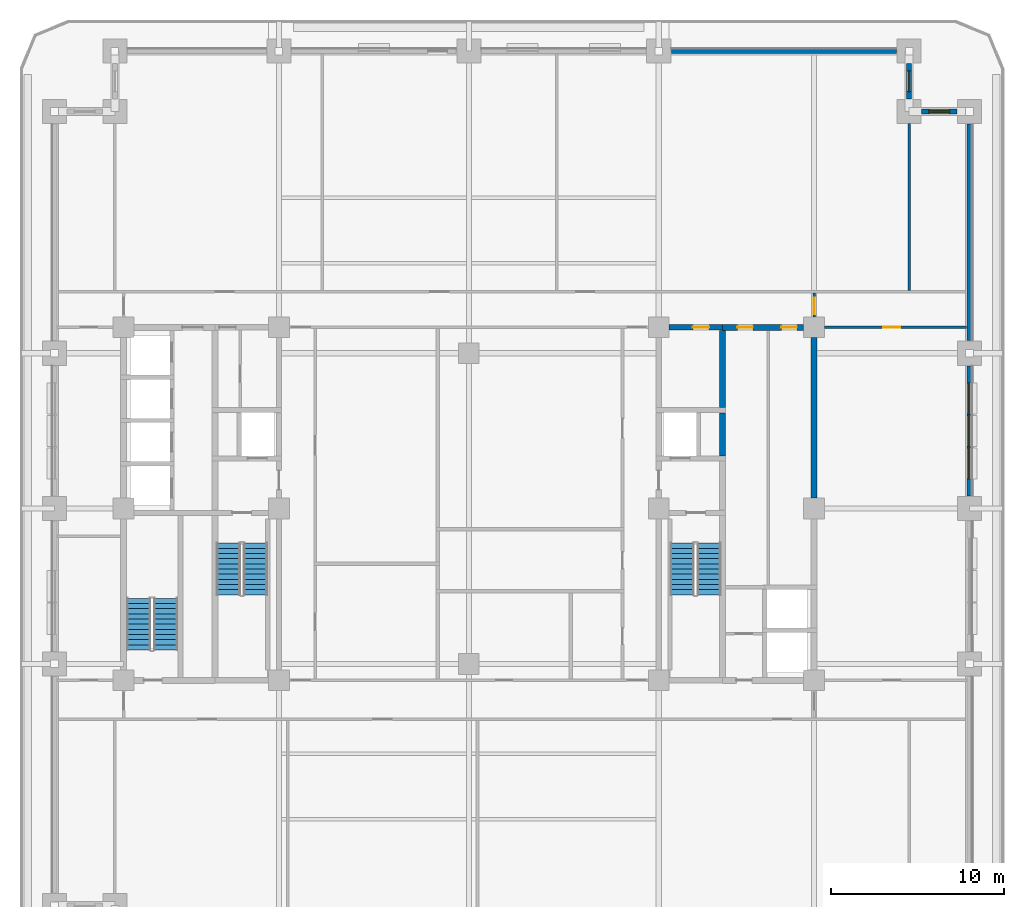
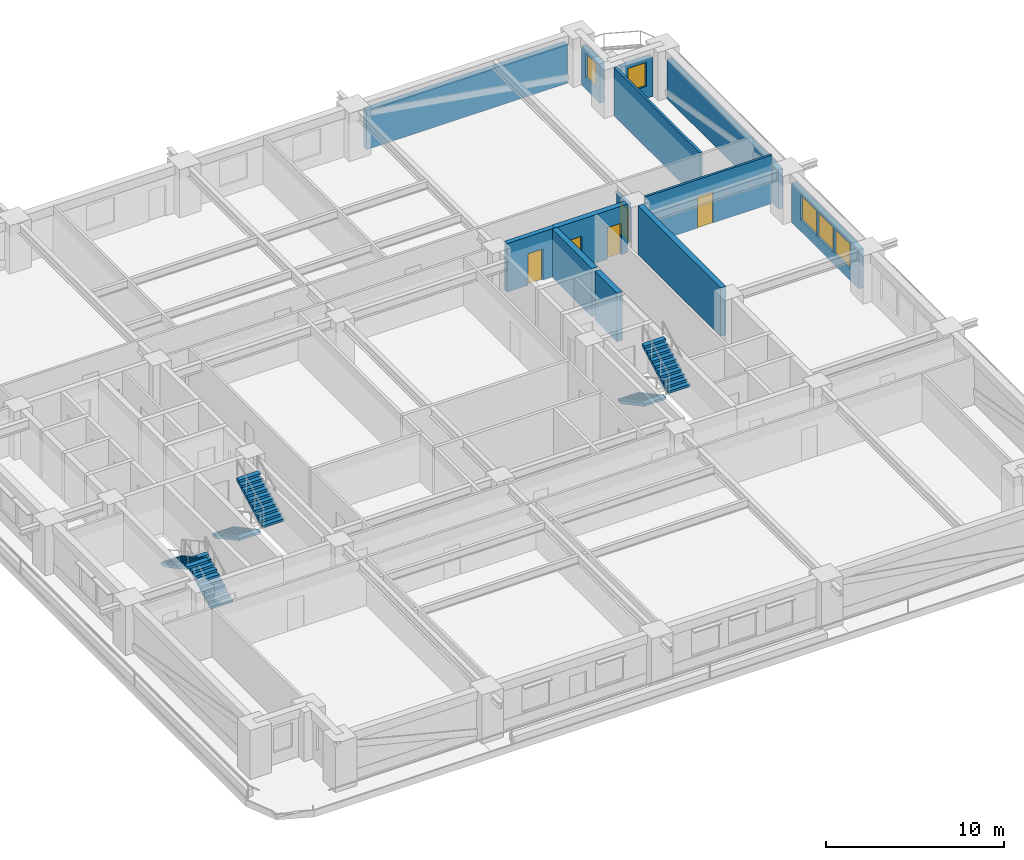
# One storey, part 6 of 13: 13 walls, 6 stair flights, 5 doors, 5 windows, 10 openings, 3 elements without a shape of their own.
"""IFC4 building model written with IfcOpenShell, lengths in metres."""

from ifc_helpers import new_model, si_unit, direction, frame, frame_2d, origin, place, context, subcontext, project, spatial, polyline, rectangle, outline, extrude, material, layer, layer_set, type_object, element, fill, aggregate, save


model = new_model("IFC4")

# Units and contexts
model_context = context("Model", 3, precision=1e-05, world=origin(), true_north=direction((0.0, 1.0)))
body_context = subcontext(model_context, "Body", "Model", "MODEL_VIEW")
ifc_project = project(units=[si_unit("LENGTHUNIT", "METRE"), si_unit("AREAUNIT", "SQUARE_METRE"), si_unit("VOLUMEUNIT", "CUBIC_METRE"), si_unit("PLANEANGLEUNIT", "RADIAN"), si_unit("MASSUNIT", "GRAM", prefix="KILO")], contexts=[model_context])

# Site, building, storey
site_placement = place(None, origin())
site = spatial("IfcSite", under=ifc_project, at=site_placement, CompositionType="ELEMENT")
building_placement = place(site_placement, origin())
building = spatial("IfcBuilding", under=site, at=building_placement, Name="Zulmaris Gate Convention Tower", CompositionType="ELEMENT")
storey_placement = place(building_placement, frame((0.0, 0.0, 34.340087890625)))
storey = spatial("IfcBuildingStorey", under=building, at=storey_placement, Name="L07", CompositionType="ELEMENT", Elevation=34.340087890625)

# Wall, opening, door
ifc_material_1 = material(Name="Concrete C50/60", Category="concrete")
ifc_layer_1 = layer(ifc_material_1, 0.300048828125, Name="Concrete C50/60")
ifc_layer_set_1 = layer_set([ifc_layer_1], Name="Concrete C50/60")
wall_type_1 = type_object("IfcWallType", Name="CORE-300", PredefinedType="SHEAR", material=ifc_layer_set_1)
wall_1_placement = place(storey_placement, frame((11.60400390625, 10.5, 0.0), z_axis=(0.0, 0.0, 1.0), x_axis=(1.0, 0.0, 0.0)))
wall_1 = element("IfcWall", 1, at=wall_1_placement, inside=storey, type_object=wall_type_1, Name="WL-L07-018", PredefinedType="SHEAR", context=body_context, shape_type="SweptSolid", body=[
    extrude(rectangle(XDim=3.095947265625, YDim=0.300048828125, at=frame_2d((1.5478515625, 0.0))), origin(), (0.0, 0.0, 1.0), 3.31982421875),
])
opening_1_placement = place(wall_1_placement, frame((1.37109375, 0.0, 0.0)))
opening_1 = element("IfcOpeningElement", 2, at=opening_1_placement, cuts=wall_1, Name="Opening D-11", PredefinedType="OPENING", context=body_context, shape_type="SweptSolid", body=[
    extrude(rectangle(XDim=0.949951171875, YDim=2.14990234375, at=frame_2d((0.47509765625, 1.074951171875))), frame((0.0, 0.16015625, 0.0), z_axis=(0.0, -1.0, 0.0), x_axis=(1.0, 0.0, 0.0)), (0.0, 0.0, 1.0), 0.320068359375),
])
ifc_material_2 = material(Name="Fire-Rated Timber", Category="wood")
door_type_1 = type_object("IfcDoorType", Name="DR-950-FD", OperationType="NOTDEFINED", PredefinedType="DOOR", material=ifc_material_2)
door_1_placement = place(opening_1_placement, origin())
door_1 = element("IfcDoor", 3, at=door_1_placement, inside=storey, type_object=door_type_1, Name="L07 Core Tea Pantry Door 09", OperationType="SINGLE_SWING_RIGHT", OverallHeight=2.14990234375, OverallWidth=0.949951171875, PredefinedType="DOOR", context=body_context, shape_type="SweptSolid", body=[
    extrude(rectangle(XDim=0.949951171875, YDim=2.14990234375, at=frame_2d((0.47509765625, 1.074951171875))), frame((0.0, 0.02490234375, 0.0), z_axis=(0.0, -1.0, 0.0), x_axis=(1.0, 0.0, 0.0)), (0.0, 0.0, 1.0), 0.050048828125),
])
fill(opening_1, door_1)

# Wall, openings, doors
ifc_material_3 = material(Name="Concrete C55/67", Category="concrete")
ifc_layer_2 = layer(ifc_material_3, 0.35009765625, Name="Concrete C55/67")
ifc_layer_set_2 = layer_set([ifc_layer_2], Name="Concrete C55/67")
wall_type_2 = type_object("IfcWallType", Name="CORE-350", PredefinedType="SHEAR", material=ifc_layer_set_2)
wall_2_placement = place(storey_placement, frame((14.699951171875, 10.5, 0.0), z_axis=(0.0, 0.0, 1.0), x_axis=(1.0, 0.0, 0.0)))
wall_2 = element("IfcWall", 4, at=wall_2_placement, inside=storey, type_object=wall_type_2, Name="WL-L07-019", PredefinedType="SHEAR", context=body_context, shape_type="SweptSolid", body=[
    extrude(rectangle(XDim=4.696044921875, YDim=0.35009765625, at=frame_2d((2.34814453125, 0.0))), origin(), (0.0, 0.0, 1.0), 3.31982421875),
])
opening_2_placement = place(wall_2_placement, frame((0.85009765625, 0.0, 0.0)))
opening_2 = element("IfcOpeningElement", 5, at=opening_2_placement, cuts=wall_2, Name="Opening D-12", PredefinedType="OPENING", context=body_context, shape_type="SweptSolid", body=[
    extrude(rectangle(XDim=0.89990234375, YDim=2.14990234375, at=frame_2d((0.449951171875, 1.074951171875))), frame((0.0, 0.18505859375, 0.0), z_axis=(0.0, -1.0, 0.0), x_axis=(1.0, 0.0, 0.0)), (0.0, 0.0, 1.0), 0.3701171875),
])
opening_3_placement = place(wall_2_placement, frame((3.39990234375, 0.0, 0.0)))
opening_3 = element("IfcOpeningElement", 6, at=opening_3_placement, cuts=wall_2, Name="Opening D-12", PredefinedType="OPENING", context=body_context, shape_type="SweptSolid", body=[
    extrude(rectangle(XDim=0.89990234375, YDim=2.14990234375, at=frame_2d((0.449951171875, 1.074951171875))), frame((0.0, 0.18505859375, 0.0), z_axis=(0.0, -1.0, 0.0), x_axis=(1.0, 0.0, 0.0)), (0.0, 0.0, 1.0), 0.3701171875),
])
door_type_2 = type_object("IfcDoorType", Name="DR-900-FD", OperationType="NOTDEFINED", PredefinedType="DOOR", material=ifc_material_2)
door_2_placement = place(opening_2_placement, origin())
door_2 = element("IfcDoor", 7, at=door_2_placement, inside=storey, type_object=door_type_2, Name="L07 East IT Room Door 18", OperationType="SINGLE_SWING_LEFT", OverallHeight=2.14990234375, OverallWidth=0.89990234375, PredefinedType="DOOR", context=body_context, shape_type="SweptSolid", body=[
    extrude(rectangle(XDim=0.89990234375, YDim=2.14990234375, at=frame_2d((0.449951171875, 1.074951171875))), frame((0.0, 0.02490234375, 0.0), z_axis=(0.0, -1.0, 0.0), x_axis=(1.0, 0.0, 0.0)), (0.0, 0.0, 1.0), 0.050048828125),
])
fill(opening_2, door_2)
door_3_placement = place(opening_3_placement, origin())
door_3 = element("IfcDoor", 8, at=door_3_placement, inside=storey, type_object=door_type_2, Name="L07 East Linen Store Door 19", OperationType="SINGLE_SWING_RIGHT", OverallHeight=2.14990234375, OverallWidth=0.89990234375, PredefinedType="DOOR", context=body_context, shape_type="SweptSolid", body=[
    extrude(rectangle(XDim=0.89990234375, YDim=2.14990234375, at=frame_2d((0.449951171875, 1.074951171875))), frame((0.0, 0.02490234375, 0.0), z_axis=(0.0, -1.0, 0.0), x_axis=(1.0, 0.0, 0.0)), (0.0, 0.0, 1.0), 0.050048828125),
])
fill(opening_3, door_3)

# Walls
wall_3_placement = place(storey_placement, frame((14.699951171875, 3.052001953125, 0.0), z_axis=(0.0, 0.0, 1.0), x_axis=(0.0, 1.0, 0.0)))
element("IfcWall", 9, at=wall_3_placement, inside=storey, type_object=wall_type_2, Name="WL-L07-062", PredefinedType="SHEAR", context=body_context, shape_type="SweptSolid", body=[
    extrude(rectangle(XDim=2.49609375, YDim=0.35009765625, at=frame_2d((1.248046875, 0.0))), origin(), (0.0, 0.0, 1.0), 3.31982421875),
])
wall_4_placement = place(storey_placement, frame((14.699951171875, 5.85205078125, 0.0), z_axis=(0.0, 0.0, 1.0), x_axis=(0.0, 1.0, 0.0)))
element("IfcWall", 10, at=wall_4_placement, inside=storey, type_object=wall_type_2, Name="WL-L07-063", PredefinedType="SHEAR", context=body_context, shape_type="SweptSolid", body=[
    extrude(rectangle(XDim=4.470947265625, YDim=0.35009765625, at=frame_2d((2.2353515625, 0.0))), origin(), (0.0, 0.0, 1.0), 3.31982421875),
])
wall_5_placement = place(storey_placement, frame((20.0, 0.60400390625, 0.0), z_axis=(0.0, 0.0, 1.0), x_axis=(0.0, 1.0, 0.0)))
element("IfcWall", 11, at=wall_5_placement, inside=storey, type_object=wall_type_2, Name="WL-L07-068S1", PredefinedType="SHEAR", context=body_context, shape_type="SweptSolid", body=[
    extrude(rectangle(XDim=9.2919921875, YDim=0.35009765625, at=frame_2d((4.64599609375, 0.0))), origin(), (0.0, 0.0, 1.0), 3.31982421875),
])

# Wall, opening, door
ifc_material_4 = material(Name="Gypsum Metal Stud Partition")
ifc_layer_3 = layer(ifc_material_4, 0.14990234375, Name="Gypsum Metal Stud Partition")
ifc_layer_set_3 = layer_set([ifc_layer_3], Name="Gypsum Metal Stud Partition")
wall_type_3 = type_object("IfcWallType", Name="PART-150", PredefinedType="PARTITIONING", material=ifc_layer_set_3)
wall_6_placement = place(storey_placement, frame((20.60595703125, 10.5, 0.0), z_axis=(0.0, 0.0, 1.0), x_axis=(1.0, 0.0, 0.0)))
wall_6 = element("IfcWall", 12, at=wall_6_placement, inside=storey, type_object=wall_type_3, Name="WL-L07-032", PredefinedType="PARTITIONING", context=body_context, shape_type="SweptSolid", body=[
    extrude(rectangle(XDim=8.22900390625, YDim=0.14990234375, at=frame_2d((4.114501953125, 0.0))), origin(), (0.0, 0.0, 1.0), 3.31982421875),
])
opening_4_placement = place(wall_6_placement, frame((3.39404296875, 0.0, 0.0)))
opening_4 = element("IfcOpeningElement", 13, at=opening_4_placement, cuts=wall_6, Name="Opening D-10", PredefinedType="OPENING", context=body_context, shape_type="SweptSolid", body=[
    extrude(rectangle(XDim=1.0, YDim=2.14990234375, at=frame_2d((0.5, 1.074951171875))), frame((0.0, 0.0849609375, 0.0), z_axis=(0.0, -1.0, 0.0), x_axis=(1.0, 0.0, 0.0)), (0.0, 0.0, 1.0), 0.169921875),
])
door_type_3 = type_object("IfcDoorType", Name="DR-1000-FD", OperationType="NOTDEFINED", PredefinedType="DOOR", material=ifc_material_2)
door_4_placement = place(opening_4_placement, origin())
door_4 = element("IfcDoor", 14, at=door_4_placement, inside=storey, type_object=door_type_3, Name="L07 East Workplace North Door 42", OperationType="SINGLE_SWING_LEFT", OverallHeight=2.14990234375, OverallWidth=1.0, PredefinedType="DOOR", context=body_context, shape_type="SweptSolid", body=[
    extrude(rectangle(XDim=1.0, YDim=2.14990234375, at=frame_2d((0.5, 1.074951171875))), frame((0.0, 0.02490234375, 0.0), z_axis=(0.0, -1.0, 0.0), x_axis=(1.0, 0.0, 0.0)), (0.0, 0.0, 1.0), 0.050048828125),
])
fill(opening_4, door_4)

wall_7_placement = place(storey_placement, frame((20.0, 11.10595703125, 0.0), z_axis=(0.0, 0.0, 1.0), x_axis=(0.0, 1.0, 0.0)))
wall_7 = element("IfcWall", 15, at=wall_7_placement, inside=storey, type_object=wall_type_3, Name="WL-L07-090", PredefinedType="PARTITIONING", context=body_context, shape_type="SweptSolid", body=[
    extrude(rectangle(XDim=1.365966796875, YDim=0.14990234375, at=frame_2d((0.68310546875, 0.0))), origin(), (0.0, 0.0, 1.0), 2.659912109375),
])
opening_5_placement = place(wall_7_placement, frame((0.14990234375, 0.0, 0.0)))
opening_5 = element("IfcOpeningElement", 16, at=opening_5_placement, cuts=wall_7, Name="Opening D-11", PredefinedType="OPENING", context=body_context, shape_type="SweptSolid", body=[
    extrude(rectangle(XDim=0.949951171875, YDim=2.14990234375, at=frame_2d((0.47509765625, 1.074951171875))), frame((0.0, 0.0849609375, 0.0), z_axis=(0.0, -1.0, 0.0), x_axis=(1.0, 0.0, 0.0)), (0.0, 0.0, 1.0), 0.169921875),
])
door_5_placement = place(opening_5_placement, origin())
door_5 = element("IfcDoor", 17, at=door_5_placement, inside=storey, type_object=door_type_1, Name="L07 NE Spur Door 40", OperationType="SINGLE_SWING_LEFT", OverallHeight=2.14990234375, OverallWidth=0.949951171875, PredefinedType="DOOR", context=body_context, shape_type="SweptSolid", body=[
    extrude(rectangle(XDim=0.949951171875, YDim=2.14990234375, at=frame_2d((0.47509765625, 1.074951171875))), frame((0.0, 0.02490234375, 0.0), z_axis=(0.0, -1.0, 0.0), x_axis=(1.0, 0.0, 0.0)), (0.0, 0.0, 1.0), 0.050048828125),
])
fill(opening_5, door_5)

# Wall
wall_8_placement = place(storey_placement, frame((25.5, 12.6279296875, 0.0), z_axis=(0.0, 0.0, 1.0), x_axis=(0.0, 1.0, 0.0)))
element("IfcWall", 18, at=wall_8_placement, inside=storey, type_object=wall_type_3, Name="WL-L07-092", PredefinedType="PARTITIONING", context=body_context, shape_type="SweptSolid", body=[
    extrude(rectangle(XDim=9.666015625, YDim=0.14990234375, at=frame_2d((4.8330078125, 0.0))), origin(), (0.0, 0.0, 1.0), 3.31982421875),
])

# Wall, opening, window
ifc_material_5 = material(Name="Precast concrete C40/50", Category="concrete")
ifc_layer_4 = layer(ifc_material_5, 0.300048828125, Name="Precast concrete C40/50")
ifc_layer_set_4 = layer_set([ifc_layer_4], Name="Precast concrete C40/50")
wall_type_4 = type_object("IfcWallType", Name="PRECAST-PIER-300", PredefinedType="STANDARD", material=ifc_layer_set_4)
wall_9_placement = place(storey_placement, frame((28.27001953125, 23.0, 0.0), z_axis=(0.0, 0.0, 1.0), x_axis=(-1.0, 0.0, 0.0)))
wall_9 = element("IfcWall", 19, at=wall_9_placement, inside=storey, type_object=wall_type_4, Name="EW-L07-NOTCH-NE1_0", PredefinedType="STANDARD", context=body_context, shape_type="SweptSolid", body=[
    extrude(rectangle(XDim=2.0400390625, YDim=0.300048828125, at=frame_2d((1.02001953125, 0.0))), origin(), (0.0, 0.0, 1.0), 2.7119140625),
])
opening_6_placement = place(wall_9_placement, frame((0.419921875, 0.0, 0.820068359375)))
opening_6 = element("IfcOpeningElement", 20, at=opening_6_placement, cuts=wall_9, Name="Opening W-04", PredefinedType="OPENING", context=body_context, shape_type="SweptSolid", body=[
    extrude(rectangle(XDim=1.199951171875, YDim=1.64990234375, at=frame_2d((0.60009765625, 0.824951171875))), frame((0.0, 0.16015625, 0.0), z_axis=(0.0, -1.0, 0.0), x_axis=(1.0, 0.0, 0.0)), (0.0, 0.0, 1.0), 0.320068359375),
])
ifc_material_6 = material(Name="Low-E Laminated Double Glazing in Aluminium Frame", Category="aluminium")
window_type_1 = type_object("IfcWindowType", Name="WIN-1200x2100", PartitioningType="SINGLE_PANEL", PredefinedType="WINDOW", material=ifc_material_6)
window_1_placement = place(opening_6_placement, origin())
window_1 = element("IfcWindow", 21, at=window_1_placement, inside=storey, type_object=window_type_1, Name="WN-EW-L07-NOTCH-NE1_0", OverallHeight=1.64990234375, OverallWidth=1.199951171875, PartitioningType="SINGLE_PANEL", PredefinedType="WINDOW", context=body_context, shape_type="SweptSolid", body=[
    extrude(rectangle(XDim=1.199951171875, YDim=1.64990234375, at=frame_2d((0.60009765625, 0.824951171875))), frame((0.0, 0.030029296875, 0.0), z_axis=(0.0, -1.0, 0.0), x_axis=(1.0, 0.0, 0.0)), (0.0, 0.0, 1.0), 0.06005859375),
])
fill(opening_6, window_1)

wall_10_placement = place(storey_placement, frame((25.5, 23.72998046875, 0.0), z_axis=(0.0, 0.0, 1.0), x_axis=(0.0, 1.0, 0.0)))
wall_10 = element("IfcWall", 22, at=wall_10_placement, inside=storey, type_object=wall_type_4, Name="EW-L07-NOTCH-NE2_0", PredefinedType="STANDARD", context=body_context, shape_type="SweptSolid", body=[
    extrude(rectangle(XDim=2.0400390625, YDim=0.300048828125, at=frame_2d((1.02001953125, 0.0))), origin(), (0.0, 0.0, 1.0), 2.7119140625),
])
opening_7_placement = place(wall_10_placement, frame((0.419921875, 0.0, 0.820068359375)))
opening_7 = element("IfcOpeningElement", 23, at=opening_7_placement, cuts=wall_10, Name="Opening W-04", PredefinedType="OPENING", context=body_context, shape_type="SweptSolid", body=[
    extrude(rectangle(XDim=1.199951171875, YDim=1.64990234375, at=frame_2d((0.60009765625, 0.824951171875))), frame((0.0, 0.16015625, 0.0), z_axis=(0.0, -1.0, 0.0), x_axis=(1.0, 0.0, 0.0)), (0.0, 0.0, 1.0), 0.320068359375),
])
window_2_placement = place(opening_7_placement, origin())
window_2 = element("IfcWindow", 24, at=window_2_placement, inside=storey, type_object=window_type_1, Name="WN-EW-L07-NOTCH-NE2_0", OverallHeight=1.64990234375, OverallWidth=1.199951171875, PartitioningType="SINGLE_PANEL", PredefinedType="WINDOW", context=body_context, shape_type="SweptSolid", body=[
    extrude(rectangle(XDim=1.199951171875, YDim=1.64990234375, at=frame_2d((0.60009765625, 0.824951171875))), frame((0.0, 0.030029296875, 0.0), z_axis=(0.0, -1.0, 0.0), x_axis=(1.0, 0.0, 0.0)), (0.0, 0.0, 1.0), 0.06005859375),
])
fill(opening_7, window_2)

# Wall
wall_11_placement = place(storey_placement, frame((24.77001953125, 26.5, 0.0), z_axis=(0.0, 0.0, 1.0), x_axis=(-1.0, 0.0, 0.0)))
element("IfcWall", 25, at=wall_11_placement, inside=storey, type_object=wall_type_4, Name="EW-L07-N-3_0", PredefinedType="STANDARD", context=body_context, shape_type="SweptSolid", body=[
    extrude(rectangle(XDim=13.0400390625, YDim=0.300048828125, at=frame_2d((6.52001953125, 0.0))), origin(), (0.0, 0.0, 1.0), 2.7119140625),
])

# Wall, openings, windows
wall_12_placement = place(storey_placement, frame((29.0, 0.72998046875, 0.0), z_axis=(0.0, 0.0, 1.0), x_axis=(0.0, 1.0, 0.0)))
wall_12 = element("IfcWall", 26, at=wall_12_placement, inside=storey, type_object=wall_type_4, Name="EW-L07-E-2_0", PredefinedType="STANDARD", context=body_context, shape_type="SweptSolid", body=[
    extrude(rectangle(XDim=7.5400390625, YDim=0.300048828125, at=frame_2d((3.77001953125, 0.0))), origin(), (0.0, 0.0, 1.0), 2.7119140625),
])
opening_8_placement = place(wall_12_placement, frame((0.985107421875, 0.0, 0.780029296875)))
opening_8 = element("IfcOpeningElement", 27, at=opening_8_placement, cuts=wall_12, Name="Opening W-02", PredefinedType="OPENING", context=body_context, shape_type="SweptSolid", body=[
    extrude(rectangle(XDim=1.800048828125, YDim=1.719970703125, at=frame_2d((0.89990234375, 0.85986328125))), frame((0.0, 0.16015625, 0.0), z_axis=(0.0, -1.0, 0.0), x_axis=(1.0, 0.0, 0.0)), (0.0, 0.0, 1.0), 0.320068359375),
])
opening_9_placement = place(wall_12_placement, frame((2.8701171875, 0.0, 0.780029296875)))
opening_9 = element("IfcOpeningElement", 28, at=opening_9_placement, cuts=wall_12, Name="Opening W-02", PredefinedType="OPENING", context=body_context, shape_type="SweptSolid", body=[
    extrude(rectangle(XDim=1.800048828125, YDim=1.719970703125, at=frame_2d((0.89990234375, 0.85986328125))), frame((0.0, 0.16015625, 0.0), z_axis=(0.0, -1.0, 0.0), x_axis=(1.0, 0.0, 0.0)), (0.0, 0.0, 1.0), 0.320068359375),
])
opening_10_placement = place(wall_12_placement, frame((4.7548828125, 0.0, 0.780029296875)))
opening_10 = element("IfcOpeningElement", 29, at=opening_10_placement, cuts=wall_12, Name="Opening W-02", PredefinedType="OPENING", context=body_context, shape_type="SweptSolid", body=[
    extrude(rectangle(XDim=1.800048828125, YDim=1.719970703125, at=frame_2d((0.89990234375, 0.85986328125))), frame((0.0, 0.16015625, 0.0), z_axis=(0.0, -1.0, 0.0), x_axis=(1.0, 0.0, 0.0)), (0.0, 0.0, 1.0), 0.320068359375),
])
window_type_2 = type_object("IfcWindowType", Name="WIN-1800x2200", PartitioningType="SINGLE_PANEL", PredefinedType="WINDOW", material=ifc_material_6)
window_3_placement = place(opening_8_placement, origin())
window_3 = element("IfcWindow", 30, at=window_3_placement, inside=storey, type_object=window_type_2, Name="WN-EW-L07-E-2_0-1", OverallHeight=1.719970703125, OverallWidth=1.800048828125, PartitioningType="SINGLE_PANEL", PredefinedType="WINDOW", context=body_context, shape_type="SweptSolid", body=[
    extrude(rectangle(XDim=1.800048828125, YDim=1.719970703125, at=frame_2d((0.89990234375, 0.85986328125))), frame((0.0, 0.030029296875, 0.0), z_axis=(0.0, -1.0, 0.0), x_axis=(1.0, 0.0, 0.0)), (0.0, 0.0, 1.0), 0.06005859375),
])
fill(opening_8, window_3)
window_4_placement = place(opening_9_placement, origin())
window_4 = element("IfcWindow", 31, at=window_4_placement, inside=storey, type_object=window_type_2, Name="WN-EW-L07-E-2_0-2", OverallHeight=1.719970703125, OverallWidth=1.800048828125, PartitioningType="SINGLE_PANEL", PredefinedType="WINDOW", context=body_context, shape_type="SweptSolid", body=[
    extrude(rectangle(XDim=1.800048828125, YDim=1.719970703125, at=frame_2d((0.89990234375, 0.85986328125))), frame((0.0, 0.030029296875, 0.0), z_axis=(0.0, -1.0, 0.0), x_axis=(1.0, 0.0, 0.0)), (0.0, 0.0, 1.0), 0.06005859375),
])
fill(opening_9, window_4)
window_5_placement = place(opening_10_placement, origin())
window_5 = element("IfcWindow", 32, at=window_5_placement, inside=storey, type_object=window_type_2, Name="WN-EW-L07-E-2_0-3", OverallHeight=1.719970703125, OverallWidth=1.800048828125, PartitioningType="SINGLE_PANEL", PredefinedType="WINDOW", context=body_context, shape_type="SweptSolid", body=[
    extrude(rectangle(XDim=1.800048828125, YDim=1.719970703125, at=frame_2d((0.89990234375, 0.85986328125))), frame((0.0, 0.030029296875, 0.0), z_axis=(0.0, -1.0, 0.0), x_axis=(1.0, 0.0, 0.0)), (0.0, 0.0, 1.0), 0.06005859375),
])
fill(opening_10, window_5)

# Wall
wall_13_placement = place(storey_placement, frame((29.0, 9.72998046875, 0.0), z_axis=(0.0, 0.0, 1.0), x_axis=(0.0, 1.0, 0.0)))
element("IfcWall", 33, at=wall_13_placement, inside=storey, type_object=wall_type_4, Name="EW-L07-E-3_0", PredefinedType="STANDARD", context=body_context, shape_type="SweptSolid", body=[
    extrude(rectangle(XDim=12.5400390625, YDim=0.300048828125, at=frame_2d((6.27001953125, 0.0))), origin(), (0.0, 0.0, 1.0), 2.7119140625),
])

# Stair, stair flights
ifc_material_7 = material(Name="Concrete C45/55", Category="concrete")
stair_type = type_object("IfcStairType", Name="ST-CORE-DOGLEG", PredefinedType="HALF_TURN_STAIR", material=ifc_material_7)
stair_1_placement = place(storey_placement, origin())
stair_1 = element("IfcStair", 34, at=stair_1_placement, inside=storey, type_object=stair_type, Name="L07 Core Exit Stair ST-1", PredefinedType="HALF_TURN_STAIR")
ifc_layer_5 = layer(ifc_material_7, 0.14990234375, Name="Concrete C45/55")
ifc_layer_set_5 = layer_set([ifc_layer_5], Name="Concrete C45/55")
stair_flight_type = type_object("IfcStairFlightType", Name="STF-RC150", PredefinedType="STRAIGHT", material=ifc_layer_set_5)
stair_flight_1_placement = place(storey_placement, frame((-13.919921875, -2.0, 0.0), z_axis=(0.0, 0.0, 1.0), x_axis=(0.0, -1.0, 0.0)))
stair_flight_1 = element("IfcStairFlight", 35, at=stair_flight_1_placement, type_object=stair_flight_type, Name="ST-1 flight 1", NumberOfRisers=11, NumberOfTreads=10, PredefinedType="STRAIGHT", RiserHeight=0.162263636, TreadLength=0.3, context=body_context, shape_type="SweptSolid", body=[
    extrude(outline(polyline([(0.0, 0.0), (0.0, 0.162353515625), (0.300048828125, 0.162353515625), (0.300048828125, 0.324462890625), (0.60009765625, 0.324462890625), (0.60009765625, 0.48681640625), (0.89990234375, 0.48681640625), (0.89990234375, 0.649169921875), (1.199951171875, 0.649169921875), (1.199951171875, 0.811279296875), (1.5, 0.811279296875), (1.5, 0.9736328125), (1.800048828125, 0.9736328125), (1.800048828125, 1.1357421875), (2.10009765625, 1.1357421875), (2.10009765625, 1.298095703125), (2.39990234375, 1.298095703125), (2.39990234375, 1.46044921875), (2.699951171875, 1.46044921875), (2.699951171875, 1.62255859375), (3.0, 1.62255859375), (3.0, 1.784912109375), (3.0, 1.4521484375), (0.315185546875, 0.0), (0.0, 0.0)])), frame((0.0, 0.699951171875, 0.0), z_axis=(0.0, -1.0, 0.0), x_axis=(1.0, 0.0, 0.0)), (0.0, 0.0, 1.0), 1.39990234375),
])
stair_flight_2_placement = place(storey_placement, frame((-12.360107421875, -5.0, 1.784912109375), z_axis=(0.0, 0.0, 1.0), x_axis=(0.0, 1.0, 0.0)))
stair_flight_2 = element("IfcStairFlight", 36, at=stair_flight_2_placement, type_object=stair_flight_type, Name="ST-1 flight 2", NumberOfRisers=11, NumberOfTreads=10, PredefinedType="STRAIGHT", RiserHeight=0.162263636, TreadLength=0.3, context=body_context, shape_type="SweptSolid", body=[
    extrude(outline(polyline([(0.0, 0.0), (0.0, 0.162353515625), (0.300048828125, 0.162353515625), (0.300048828125, 0.324462890625), (0.60009765625, 0.324462890625), (0.60009765625, 0.48681640625), (0.89990234375, 0.48681640625), (0.89990234375, 0.649169921875), (1.199951171875, 0.649169921875), (1.199951171875, 0.811279296875), (1.5, 0.811279296875), (1.5, 0.9736328125), (1.800048828125, 0.9736328125), (1.800048828125, 1.1357421875), (2.10009765625, 1.1357421875), (2.10009765625, 1.298095703125), (2.39990234375, 1.298095703125), (2.39990234375, 1.46044921875), (2.699951171875, 1.46044921875), (2.699951171875, 1.62255859375), (3.0, 1.62255859375), (3.0, 1.784912109375), (3.0, 1.4521484375), (0.315185546875, 0.0), (0.0, 0.0)])), frame((0.0, 0.699951171875, 0.0), z_axis=(0.0, -1.0, 0.0), x_axis=(1.0, 0.0, 0.0)), (0.0, 0.0, 1.0), 1.39990234375),
])
aggregate(stair_1, [stair_flight_1, stair_flight_2])

stair_2_placement = place(storey_placement, origin())
stair_2 = element("IfcStair", 37, at=stair_2_placement, inside=storey, type_object=stair_type, Name="L07 Core Exit Stair ST-2", PredefinedType="HALF_TURN_STAIR")
stair_flight_3_placement = place(storey_placement, frame((12.360107421875, -2.0, 0.0), z_axis=(0.0, 0.0, 1.0), x_axis=(0.0, -1.0, 0.0)))
stair_flight_3 = element("IfcStairFlight", 38, at=stair_flight_3_placement, type_object=stair_flight_type, Name="ST-2 flight 1", NumberOfRisers=11, NumberOfTreads=10, PredefinedType="STRAIGHT", RiserHeight=0.162263636, TreadLength=0.3, context=body_context, shape_type="SweptSolid", body=[
    extrude(outline(polyline([(0.0, 0.0), (0.0, 0.162353515625), (0.300048828125, 0.162353515625), (0.300048828125, 0.324462890625), (0.60009765625, 0.324462890625), (0.60009765625, 0.48681640625), (0.89990234375, 0.48681640625), (0.89990234375, 0.649169921875), (1.199951171875, 0.649169921875), (1.199951171875, 0.811279296875), (1.5, 0.811279296875), (1.5, 0.9736328125), (1.800048828125, 0.9736328125), (1.800048828125, 1.1357421875), (2.10009765625, 1.1357421875), (2.10009765625, 1.298095703125), (2.39990234375, 1.298095703125), (2.39990234375, 1.46044921875), (2.699951171875, 1.46044921875), (2.699951171875, 1.62255859375), (3.0, 1.62255859375), (3.0, 1.784912109375), (3.0, 1.4521484375), (0.315185546875, 0.0), (0.0, 0.0)])), frame((0.0, 0.699951171875, 0.0), z_axis=(0.0, -1.0, 0.0), x_axis=(1.0, 0.0, 0.0)), (0.0, 0.0, 1.0), 1.39990234375),
])
stair_flight_4_placement = place(storey_placement, frame((13.919921875, -5.0, 1.784912109375), z_axis=(0.0, 0.0, 1.0), x_axis=(0.0, 1.0, 0.0)))
stair_flight_4 = element("IfcStairFlight", 39, at=stair_flight_4_placement, type_object=stair_flight_type, Name="ST-2 flight 2", NumberOfRisers=11, NumberOfTreads=10, PredefinedType="STRAIGHT", RiserHeight=0.162263636, TreadLength=0.3, context=body_context, shape_type="SweptSolid", body=[
    extrude(outline(polyline([(0.0, 0.0), (0.0, 0.162353515625), (0.300048828125, 0.162353515625), (0.300048828125, 0.324462890625), (0.60009765625, 0.324462890625), (0.60009765625, 0.48681640625), (0.89990234375, 0.48681640625), (0.89990234375, 0.649169921875), (1.199951171875, 0.649169921875), (1.199951171875, 0.811279296875), (1.5, 0.811279296875), (1.5, 0.9736328125), (1.800048828125, 0.9736328125), (1.800048828125, 1.1357421875), (2.10009765625, 1.1357421875), (2.10009765625, 1.298095703125), (2.39990234375, 1.298095703125), (2.39990234375, 1.46044921875), (2.699951171875, 1.46044921875), (2.699951171875, 1.62255859375), (3.0, 1.62255859375), (3.0, 1.784912109375), (3.0, 1.4521484375), (0.315185546875, 0.0), (0.0, 0.0)])), frame((0.0, 0.699951171875, 0.0), z_axis=(0.0, -1.0, 0.0), x_axis=(1.0, 0.0, 0.0)), (0.0, 0.0, 1.0), 1.39990234375),
])
aggregate(stair_2, [stair_flight_3, stair_flight_4])

stair_3_placement = place(storey_placement, origin())
stair_3 = element("IfcStair", 40, at=stair_3_placement, inside=storey, type_object=stair_type, Name="L07 Core Exit Stair ST-3", PredefinedType="HALF_TURN_STAIR")
stair_flight_5_placement = place(storey_placement, frame((-17.56005859375, -8.199951171875, 0.0), z_axis=(0.0, 0.0, 1.0), x_axis=(0.0, 1.0, 0.0)))
stair_flight_5 = element("IfcStairFlight", 41, at=stair_flight_5_placement, type_object=stair_flight_type, Name="ST-3 flight 1", NumberOfRisers=11, NumberOfTreads=10, PredefinedType="STRAIGHT", RiserHeight=0.162263636, TreadLength=0.3, context=body_context, shape_type="SweptSolid", body=[
    extrude(outline(polyline([(0.0, 0.0), (0.0, 0.162353515625), (0.300048828125, 0.162353515625), (0.300048828125, 0.324462890625), (0.60009765625, 0.324462890625), (0.60009765625, 0.48681640625), (0.89990234375, 0.48681640625), (0.89990234375, 0.649169921875), (1.199951171875, 0.649169921875), (1.199951171875, 0.811279296875), (1.5, 0.811279296875), (1.5, 0.9736328125), (1.800048828125, 0.9736328125), (1.800048828125, 1.1357421875), (2.10009765625, 1.1357421875), (2.10009765625, 1.298095703125), (2.39990234375, 1.298095703125), (2.39990234375, 1.46044921875), (2.699951171875, 1.46044921875), (2.699951171875, 1.62255859375), (3.0, 1.62255859375), (3.0, 1.784912109375), (3.0, 1.4521484375), (0.315185546875, 0.0), (0.0, 0.0)])), frame((0.0, 0.699951171875, 0.0), z_axis=(0.0, -1.0, 0.0), x_axis=(1.0, 0.0, 0.0)), (0.0, 0.0, 1.0), 1.39990234375),
])
stair_flight_6_placement = place(storey_placement, frame((-19.1201171875, -5.199951171875, 1.784912109375), z_axis=(0.0, 0.0, 1.0), x_axis=(0.0, -1.0, 0.0)))
stair_flight_6 = element("IfcStairFlight", 42, at=stair_flight_6_placement, type_object=stair_flight_type, Name="ST-3 flight 2", NumberOfRisers=11, NumberOfTreads=10, PredefinedType="STRAIGHT", RiserHeight=0.162263636, TreadLength=0.3, context=body_context, shape_type="SweptSolid", body=[
    extrude(outline(polyline([(0.0, 0.0), (0.0, 0.162353515625), (0.300048828125, 0.162353515625), (0.300048828125, 0.324462890625), (0.60009765625, 0.324462890625), (0.60009765625, 0.48681640625), (0.89990234375, 0.48681640625), (0.89990234375, 0.649169921875), (1.199951171875, 0.649169921875), (1.199951171875, 0.811279296875), (1.5, 0.811279296875), (1.5, 0.9736328125), (1.800048828125, 0.9736328125), (1.800048828125, 1.1357421875), (2.10009765625, 1.1357421875), (2.10009765625, 1.298095703125), (2.39990234375, 1.298095703125), (2.39990234375, 1.46044921875), (2.699951171875, 1.46044921875), (2.699951171875, 1.62255859375), (3.0, 1.62255859375), (3.0, 1.784912109375), (3.0, 1.4521484375), (0.315185546875, 0.0), (0.0, 0.0)])), frame((0.0, 0.699951171875, 0.0), z_axis=(0.0, -1.0, 0.0), x_axis=(1.0, 0.0, 0.0)), (0.0, 0.0, 1.0), 1.39990234375),
])
aggregate(stair_3, [stair_flight_5, stair_flight_6])

save(model, "model.ifc")
